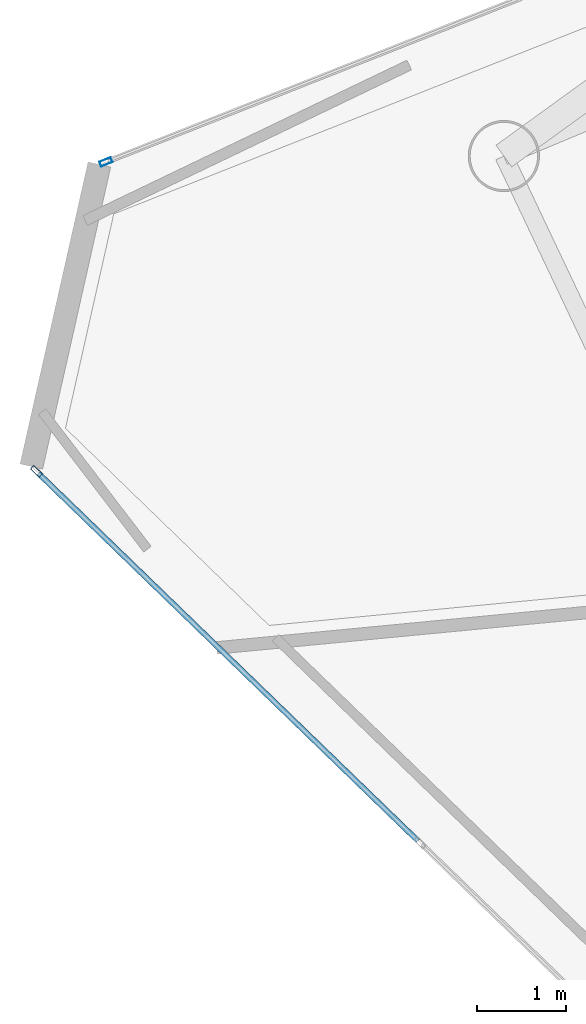
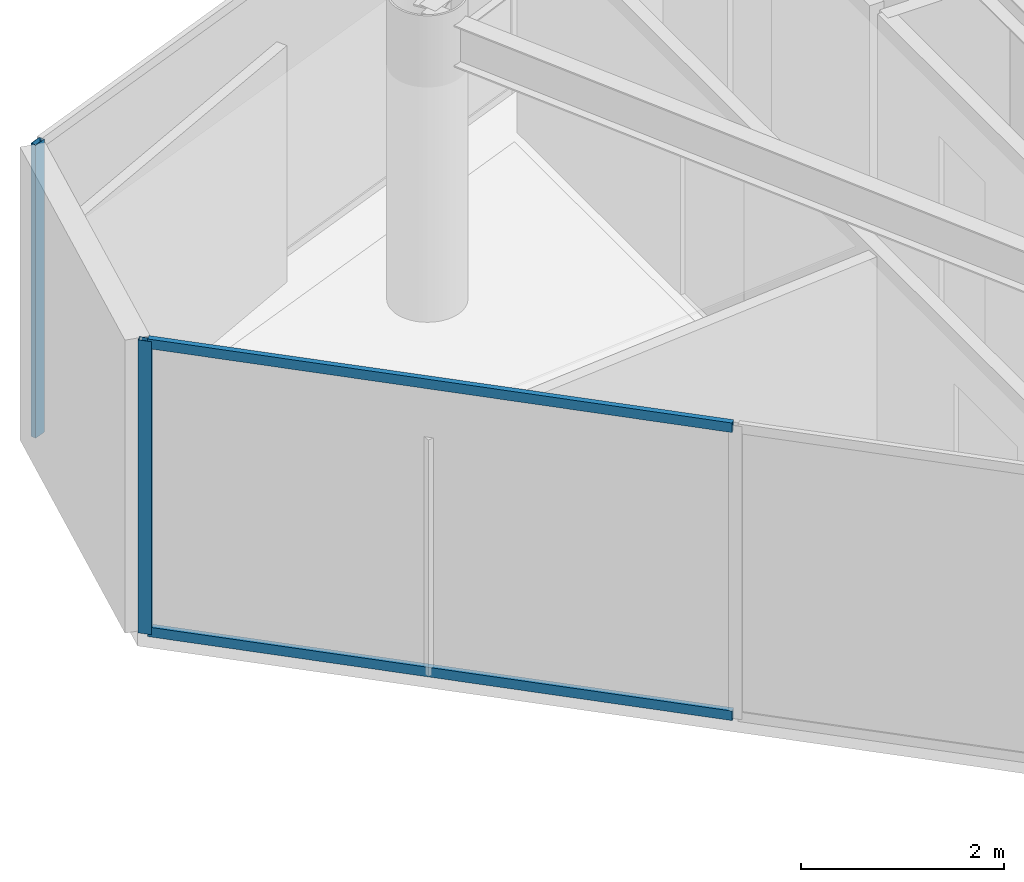
# One storey, part 7 of 19: 4 members, 2 elements without a shape of their own.
"""IFC4 building model written with IfcOpenShell, lengths in metres."""

from ifc_helpers import new_model, si_unit, direction, frame, origin, origin_2d, place, context, subcontext, project, spatial, hollow_rectangle, extrude, material, layer, layer_set, material_profile, profile_set, type_object, element, aggregate, save


model = new_model("IFC4")

# Units and contexts
model_context = context("Model", 3, precision=1e-05, world=origin(), true_north=direction((0.0, 1.0)))
body_context = subcontext(model_context, "Body", "Model", "MODEL_VIEW")
ifc_project = project(units=[si_unit("LENGTHUNIT", "METRE"), si_unit("AREAUNIT", "SQUARE_METRE"), si_unit("VOLUMEUNIT", "CUBIC_METRE"), si_unit("PLANEANGLEUNIT", "RADIAN"), si_unit("MASSUNIT", "GRAM", prefix="KILO")], contexts=[model_context])

# Site, building, storey
site_placement = place(None, origin())
site = spatial("IfcSite", under=ifc_project, at=site_placement, CompositionType="ELEMENT")
building_placement = place(site_placement, origin())
building = spatial("IfcBuilding", under=site, at=building_placement, Name="Qianvela Tower", CompositionType="ELEMENT")
storey_placement = place(building_placement, frame((0.0, 0.0, 344.39990234375)))
storey = spatial("IfcBuildingStorey", under=building, at=storey_placement, Name="L89", CompositionType="ELEMENT", Elevation=344.39990234375)

# Curtain wall, member
ifc_material_1 = material(Name="Anodised Architectural Aluminium and Low-E Glass", Category="aluminium")
ifc_layer = layer(ifc_material_1, 0.14990234375)
ifc_layer_set = layer_set([ifc_layer], Name="Anodised Architectural Aluminium and Low-E Glass")
curtain_wall_type = type_object("IfcCurtainWallType", Name="CW-COLIV-Z78", PredefinedType="USERDEFINED", material=ifc_layer_set)
curtain_wall_1_placement = place(storey_placement, origin())
curtain_wall_1 = element("IfcCurtainWall", 1, at=curtain_wall_1_placement, inside=storey, type_object=curtain_wall_type, Name="L89 CW-COLIV-Z78 Curtain Wall 02C", ObjectType="CURTAIN_WALL_SYSTEM", PredefinedType="USERDEFINED")
ifc_material_2 = material(Name="Anodised Architectural Aluminium 6063-T6", Category="aluminium")
ifc_material_profile_1 = material_profile(ifc_material_2, hollow_rectangle(XDim=0.06005859375, YDim=0.139892578125, WallThickness=0.00439453125, at=origin_2d()), Name="ALU-MULL-60x140")
ifc_profile_set_1 = profile_set([ifc_material_profile_1], Name="Anodised Architectural Aluminium 6063-T6")
member_type_1 = type_object("IfcMemberType", Name="CW-COLIV-Z78-MULL", PredefinedType="MULLION", material=ifc_profile_set_1)
member_1_placement = place(storey_placement, frame((18.934814453125, 29.72314453125, 0.0), z_axis=(0.0, 0.0, 1.0), x_axis=(0.367588481011, -0.929988552955, 0.0)))
member_1 = element("IfcMember", 2, at=member_1_placement, type_object=member_type_1, Name="CW-6 mullion 3", PredefinedType="MULLION", context=body_context, shape_type="SweptSolid", body=[
    extrude(hollow_rectangle(XDim=0.06005859375, YDim=0.139892578125, WallThickness=0.00439453125, at=origin_2d()), origin(), (0.0, 0.0, 1.0), 3.52001953125),
])
aggregate(curtain_wall_1, [member_1])

# Curtain wall, members
curtain_wall_2_placement = place(storey_placement, origin())
curtain_wall_2 = element("IfcCurtainWall", 3, at=curtain_wall_2_placement, inside=storey, type_object=curtain_wall_type, Name="L89 CW-COLIV-Z78 Curtain Wall 04A", ObjectType="CURTAIN_WALL_SYSTEM", PredefinedType="USERDEFINED")
member_2_placement = place(storey_placement, frame((18.154541015625, 26.250244140625, 0.0), z_axis=(0.0, 0.0, 1.0), x_axis=(0.695657559148, 0.71837355213, 0.0)))
member_2 = element("IfcMember", 4, at=member_2_placement, type_object=member_type_1, Name="CW-6 mullion 1", PredefinedType="MULLION", context=body_context, shape_type="SweptSolid", body=[
    extrude(hollow_rectangle(XDim=0.06005859375, YDim=0.139892578125, WallThickness=0.00439453125, at=origin_2d()), origin(), (0.0, 0.0, 1.0), 3.52001953125),
])
ifc_material_3 = material(Name="Anodised Architectural Aluminium 6063-T6", Category="aluminium")
ifc_material_profile_2 = material_profile(ifc_material_3, hollow_rectangle(XDim=0.06005859375, YDim=0.114990234375, WallThickness=0.00390625, at=origin_2d()), Name="ALU-TRAN-60x115")
ifc_profile_set_2 = profile_set([ifc_material_profile_2], Name="Anodised Architectural Aluminium 6063-T6")
member_type_2 = type_object("IfcMemberType", Name="CW-COLIV-Z78-TRAN", PredefinedType="USERDEFINED", material=ifc_profile_set_2)
member_3_placement = place(storey_placement, frame((18.176025390625, 26.229248046875, 0.030029296875), z_axis=(0.718378445007, -0.695652506464, 0.0), x_axis=(0.695652506464, 0.718378445007, 0.0)))
member_3 = element("IfcMember", 5, at=member_3_placement, type_object=member_type_2, Name="CW-6 transom 1.1", ObjectType="TRANSOM", PredefinedType="USERDEFINED", context=body_context, shape_type="SweptSolid", body=[
    extrude(hollow_rectangle(XDim=0.06005859375, YDim=0.114990234375, WallThickness=0.00390625, at=origin_2d()), origin(), (0.0, 0.0, 1.0), 5.929931640625),
])
member_4_placement = place(storey_placement, frame((18.176025390625, 26.229248046875, 3.489990234375), z_axis=(0.718378445007, -0.695652506464, 0.0), x_axis=(0.695652506464, 0.718378445007, 0.0)))
member_4 = element("IfcMember", 6, at=member_4_placement, type_object=member_type_2, Name="CW-6 transom 1.2", ObjectType="TRANSOM", PredefinedType="USERDEFINED", context=body_context, shape_type="SweptSolid", body=[
    extrude(hollow_rectangle(XDim=0.06005859375, YDim=0.114990234375, WallThickness=0.00390625, at=origin_2d()), origin(), (0.0, 0.0, 1.0), 5.929931640625),
])
aggregate(curtain_wall_2, [member_2, member_3, member_4])

save(model, "model.ifc")
